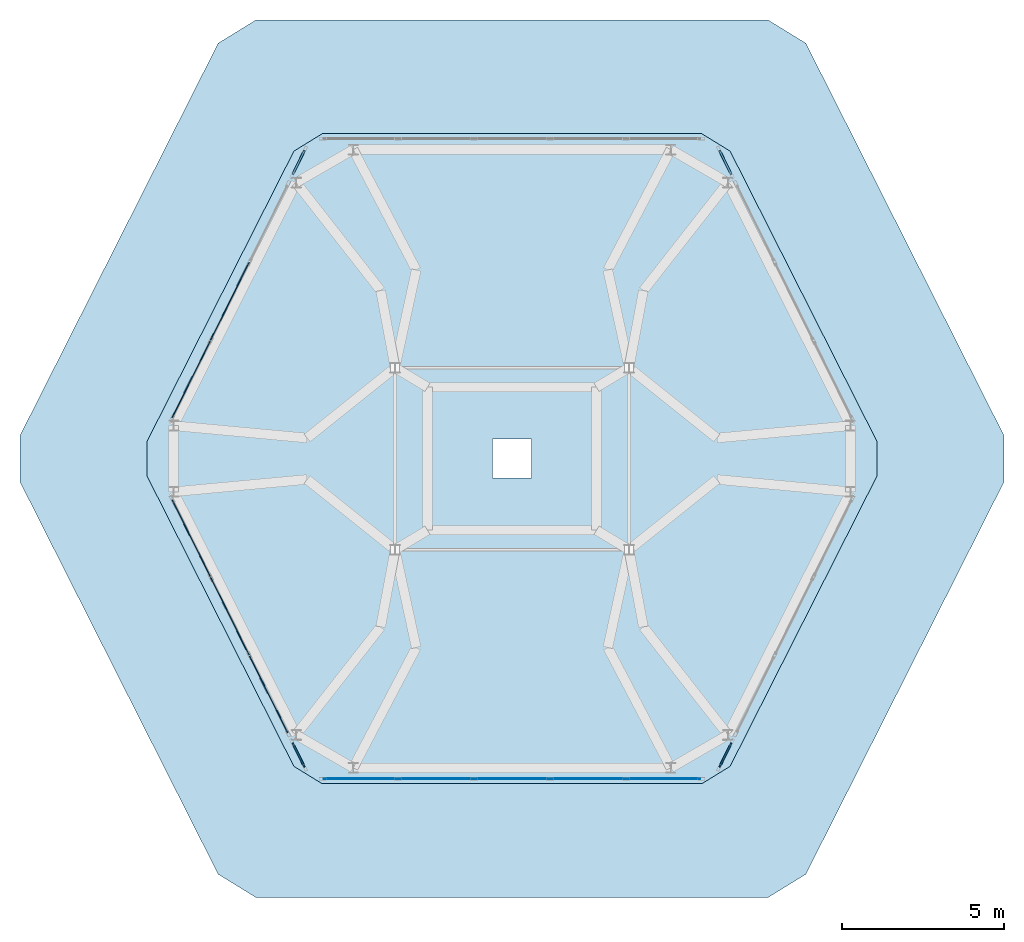
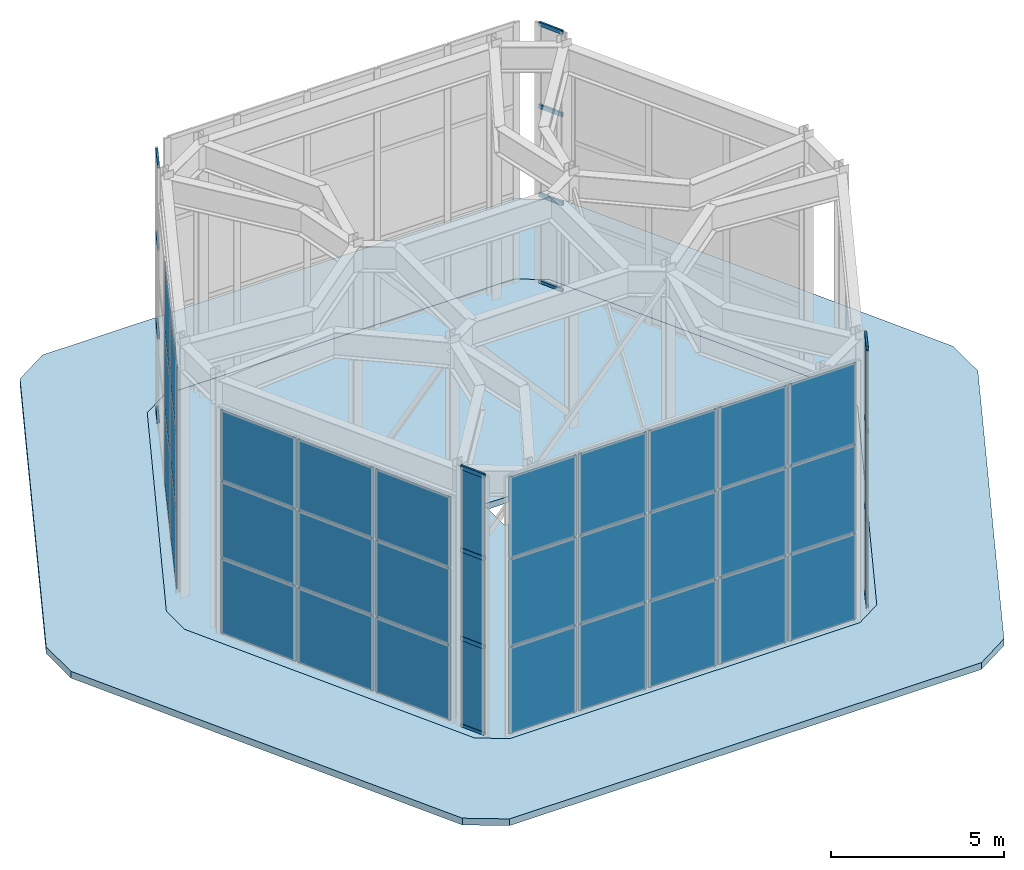
# One storey, part 8 of 9: 36 plates, 16 members, 2 slabs, 7 elements without a shape of their own.
"""IFC4 building model written with IfcOpenShell, lengths in metres."""

from ifc_helpers import new_model, si_unit, direction, frame, origin, origin_2d, place, context, subcontext, project, spatial, polyline, rectangle, hollow_rectangle, outline, extrude, material, layer, layer_set, material_profile, profile_set, type_object, element, aggregate, save


model = new_model("IFC4")

# Units and contexts
model_context = context("Model", 3, precision=1e-05, world=origin(), true_north=direction((0.0, 1.0)))
body_context = subcontext(model_context, "Body", "Model", "MODEL_VIEW")
ifc_project = project(units=[si_unit("LENGTHUNIT", "METRE"), si_unit("AREAUNIT", "SQUARE_METRE"), si_unit("VOLUMEUNIT", "CUBIC_METRE"), si_unit("PLANEANGLEUNIT", "RADIAN"), si_unit("MASSUNIT", "GRAM", prefix="KILO")], contexts=[model_context])

# Site, building, storey
site_placement = place(None, origin())
site = spatial("IfcSite", under=ifc_project, at=site_placement, CompositionType="ELEMENT")
building_placement = place(site_placement, origin())
building = spatial("IfcBuilding", under=site, at=building_placement, Name="Cinnabar Lancet Tower", CompositionType="ELEMENT")
storey_placement = place(building_placement, frame((0.0, 0.0, 323.85009765625)))
storey = spatial("IfcBuildingStorey", under=building, at=storey_placement, Name="L82", CompositionType="ELEMENT", Elevation=323.85009765625)

# Curtain wall, members
ifc_material_1 = material(Name="Thermally broken bronze-anodized aluminium and low-E glass", Category="aluminium")
ifc_layer_1 = layer(ifc_material_1, 0.179931640625)
ifc_layer_set_1 = layer_set([ifc_layer_1], Name="Thermally broken bronze-anodized aluminium and low-E glass")
curtain_wall_type = type_object("IfcCurtainWallType", Name="ENV-CW-SYS-06", PredefinedType="NOTDEFINED", material=ifc_layer_set_1)
curtain_wall_1_placement = place(storey_placement, origin())
curtain_wall_1 = element("IfcCurtainWall", 1, at=curtain_wall_1_placement, inside=storey, type_object=curtain_wall_type, Name="L82 Faceted Lancet Crown Curtain Wall 4", PredefinedType="NOTDEFINED")
ifc_material_2 = material(Name="Anodized architectural aluminium 6063-T6", Category="aluminium")
ifc_material_profile = material_profile(ifc_material_2, hollow_rectangle(XDim=0.06494140625, YDim=0.14990234375, WallThickness=0.00390625, InnerFilletRadius=0.001953125, OuterFilletRadius=0.006103515625, at=origin_2d()), Name="CW-TRN 150x65x4")
ifc_profile_set = profile_set([ifc_material_profile], Name="Anodized architectural aluminium 6063-T6")
member_type = type_object("IfcMemberType", Name="ENV-CW-TRN-160", PredefinedType="USERDEFINED", material=ifc_profile_set)
member_1_placement = place(storey_placement, frame((38.78564453125, 16.31787109375, 0.02978515625), z_axis=(0.443390275112, 0.896328658437, 0.0), x_axis=(-0.896328658437, 0.443390275112, 0.0)))
member_1 = element("IfcMember", 2, at=member_1_placement, type_object=member_type, Name="CW-06 transom 1.1", ObjectType="TRANSOM", PredefinedType="USERDEFINED", context=body_context, shape_type="SweptSolid", body=[
    extrude(hollow_rectangle(XDim=0.06494140625, YDim=0.14990234375, WallThickness=0.00390625, InnerFilletRadius=0.001953125, OuterFilletRadius=0.006103515625, at=origin_2d()), origin(), (0.0, 0.0, 1.0), 0.818115234375),
])
member_2_placement = place(storey_placement, frame((38.78564453125, 16.31787109375, 3.118896484375), z_axis=(0.443390275112, 0.896328658437, 0.0), x_axis=(-0.896328658437, 0.443390275112, 0.0)))
member_2 = element("IfcMember", 3, at=member_2_placement, type_object=member_type, Name="CW-06 transom 1.2", ObjectType="TRANSOM", PredefinedType="USERDEFINED", context=body_context, shape_type="SweptSolid", body=[
    extrude(hollow_rectangle(XDim=0.06494140625, YDim=0.14990234375, WallThickness=0.00390625, InnerFilletRadius=0.001953125, OuterFilletRadius=0.006103515625, at=origin_2d()), origin(), (0.0, 0.0, 1.0), 0.818115234375),
])
member_3_placement = place(storey_placement, frame((38.78564453125, 16.31787109375, 6.239013671875), z_axis=(0.443390275112, 0.896328658437, 0.0), x_axis=(-0.896328658437, 0.443390275112, 0.0)))
member_3 = element("IfcMember", 4, at=member_3_placement, type_object=member_type, Name="CW-06 transom 1.3", ObjectType="TRANSOM", PredefinedType="USERDEFINED", context=body_context, shape_type="SweptSolid", body=[
    extrude(hollow_rectangle(XDim=0.06494140625, YDim=0.14990234375, WallThickness=0.00390625, InnerFilletRadius=0.001953125, OuterFilletRadius=0.006103515625, at=origin_2d()), origin(), (0.0, 0.0, 1.0), 0.818115234375),
])
member_4_placement = place(storey_placement, frame((38.78564453125, 16.31787109375, 9.14501953125), z_axis=(0.443390275112, 0.896328658437, 0.0), x_axis=(-0.896328658437, 0.443390275112, 0.0)))
member_4 = element("IfcMember", 5, at=member_4_placement, type_object=member_type, Name="CW-06 transom 1.4", ObjectType="TRANSOM", PredefinedType="USERDEFINED", context=body_context, shape_type="SweptSolid", body=[
    extrude(hollow_rectangle(XDim=0.06494140625, YDim=0.14990234375, WallThickness=0.00390625, InnerFilletRadius=0.001953125, OuterFilletRadius=0.006103515625, at=origin_2d()), origin(), (0.0, 0.0, 1.0), 0.818115234375),
])

curtain_wall_2_placement = place(storey_placement, origin())
curtain_wall_2 = element("IfcCurtainWall", 6, at=curtain_wall_2_placement, inside=storey, type_object=curtain_wall_type, Name="L82 Faceted Lancet Crown Curtain Wall 10", PredefinedType="NOTDEFINED")
member_5_placement = place(storey_placement, frame((39.1484375, 34.548828125, 0.02978515625), z_axis=(-0.443390275112, 0.896328658437, 0.0), x_axis=(-0.896328658437, -0.443390275112, 0.0)))
member_5 = element("IfcMember", 7, at=member_5_placement, type_object=member_type, Name="CW-06 transom 1.1", ObjectType="TRANSOM", PredefinedType="USERDEFINED", context=body_context, shape_type="SweptSolid", body=[
    extrude(hollow_rectangle(XDim=0.06494140625, YDim=0.14990234375, WallThickness=0.00390625, InnerFilletRadius=0.001953125, OuterFilletRadius=0.006103515625, at=origin_2d()), origin(), (0.0, 0.0, 1.0), 0.818115234375),
])
member_6_placement = place(storey_placement, frame((39.1484375, 34.548828125, 3.118896484375), z_axis=(-0.443390275112, 0.896328658437, 0.0), x_axis=(-0.896328658437, -0.443390275112, 0.0)))
member_6 = element("IfcMember", 8, at=member_6_placement, type_object=member_type, Name="CW-06 transom 1.2", ObjectType="TRANSOM", PredefinedType="USERDEFINED", context=body_context, shape_type="SweptSolid", body=[
    extrude(hollow_rectangle(XDim=0.06494140625, YDim=0.14990234375, WallThickness=0.00390625, InnerFilletRadius=0.001953125, OuterFilletRadius=0.006103515625, at=origin_2d()), origin(), (0.0, 0.0, 1.0), 0.818115234375),
])
member_7_placement = place(storey_placement, frame((39.1484375, 34.548828125, 6.239013671875), z_axis=(-0.443390275112, 0.896328658437, 0.0), x_axis=(-0.896328658437, -0.443390275112, 0.0)))
member_7 = element("IfcMember", 9, at=member_7_placement, type_object=member_type, Name="CW-06 transom 1.3", ObjectType="TRANSOM", PredefinedType="USERDEFINED", context=body_context, shape_type="SweptSolid", body=[
    extrude(hollow_rectangle(XDim=0.06494140625, YDim=0.14990234375, WallThickness=0.00390625, InnerFilletRadius=0.001953125, OuterFilletRadius=0.006103515625, at=origin_2d()), origin(), (0.0, 0.0, 1.0), 0.818115234375),
])
member_8_placement = place(storey_placement, frame((39.1484375, 34.548828125, 9.14501953125), z_axis=(-0.443390275112, 0.896328658437, 0.0), x_axis=(-0.896328658437, -0.443390275112, 0.0)))
member_8 = element("IfcMember", 10, at=member_8_placement, type_object=member_type, Name="CW-06 transom 1.4", ObjectType="TRANSOM", PredefinedType="USERDEFINED", context=body_context, shape_type="SweptSolid", body=[
    extrude(hollow_rectangle(XDim=0.06494140625, YDim=0.14990234375, WallThickness=0.00390625, InnerFilletRadius=0.001953125, OuterFilletRadius=0.006103515625, at=origin_2d()), origin(), (0.0, 0.0, 1.0), 0.818115234375),
])
aggregate(curtain_wall_2, [member_5, member_6, member_7, member_8])

curtain_wall_3_placement = place(storey_placement, origin())
curtain_wall_3 = element("IfcCurtainWall", 11, at=curtain_wall_3_placement, inside=storey, type_object=curtain_wall_type, Name="L82 Faceted Lancet Crown Curtain Wall 14", PredefinedType="NOTDEFINED")
member_9_placement = place(storey_placement, frame((26.014404296875, 35.2822265625, 0.02978515625), z_axis=(-0.443390275112, -0.896328658437, 0.0), x_axis=(0.896328658437, -0.443390275112, 0.0)))
member_9 = element("IfcMember", 12, at=member_9_placement, type_object=member_type, Name="CW-06 transom 1.1", ObjectType="TRANSOM", PredefinedType="USERDEFINED", context=body_context, shape_type="SweptSolid", body=[
    extrude(hollow_rectangle(XDim=0.06494140625, YDim=0.14990234375, WallThickness=0.00390625, InnerFilletRadius=0.001953125, OuterFilletRadius=0.006103515625, at=origin_2d()), origin(), (0.0, 0.0, 1.0), 0.818115234375),
])
member_10_placement = place(storey_placement, frame((26.014404296875, 35.2822265625, 3.118896484375), z_axis=(-0.443390275112, -0.896328658437, 0.0), x_axis=(0.896328658437, -0.443390275112, 0.0)))
member_10 = element("IfcMember", 13, at=member_10_placement, type_object=member_type, Name="CW-06 transom 1.2", ObjectType="TRANSOM", PredefinedType="USERDEFINED", context=body_context, shape_type="SweptSolid", body=[
    extrude(hollow_rectangle(XDim=0.06494140625, YDim=0.14990234375, WallThickness=0.00390625, InnerFilletRadius=0.001953125, OuterFilletRadius=0.006103515625, at=origin_2d()), origin(), (0.0, 0.0, 1.0), 0.818115234375),
])
member_11_placement = place(storey_placement, frame((26.014404296875, 35.2822265625, 6.239013671875), z_axis=(-0.443390275112, -0.896328658437, 0.0), x_axis=(0.896328658437, -0.443390275112, 0.0)))
member_11 = element("IfcMember", 14, at=member_11_placement, type_object=member_type, Name="CW-06 transom 1.3", ObjectType="TRANSOM", PredefinedType="USERDEFINED", context=body_context, shape_type="SweptSolid", body=[
    extrude(hollow_rectangle(XDim=0.06494140625, YDim=0.14990234375, WallThickness=0.00390625, InnerFilletRadius=0.001953125, OuterFilletRadius=0.006103515625, at=origin_2d()), origin(), (0.0, 0.0, 1.0), 0.818115234375),
])
member_12_placement = place(storey_placement, frame((26.014404296875, 35.2822265625, 9.14501953125), z_axis=(-0.443390275112, -0.896328658437, 0.0), x_axis=(0.896328658437, -0.443390275112, 0.0)))
member_12 = element("IfcMember", 15, at=member_12_placement, type_object=member_type, Name="CW-06 transom 1.4", ObjectType="TRANSOM", PredefinedType="USERDEFINED", context=body_context, shape_type="SweptSolid", body=[
    extrude(hollow_rectangle(XDim=0.06494140625, YDim=0.14990234375, WallThickness=0.00390625, InnerFilletRadius=0.001953125, OuterFilletRadius=0.006103515625, at=origin_2d()), origin(), (0.0, 0.0, 1.0), 0.818115234375),
])
aggregate(curtain_wall_3, [member_9, member_10, member_11, member_12])

curtain_wall_4_placement = place(storey_placement, origin())
curtain_wall_4 = element("IfcCurtainWall", 16, at=curtain_wall_4_placement, inside=storey, type_object=curtain_wall_type, Name="L82 Faceted Lancet Crown Curtain Wall 20", PredefinedType="NOTDEFINED")
member_13_placement = place(storey_placement, frame((25.651611328125, 17.05126953125, 0.02978515625), z_axis=(0.443390275112, -0.896328658437, 0.0), x_axis=(0.896328658437, 0.443390275112, 0.0)))
member_13 = element("IfcMember", 17, at=member_13_placement, type_object=member_type, Name="CW-06 transom 1.1", ObjectType="TRANSOM", PredefinedType="USERDEFINED", context=body_context, shape_type="SweptSolid", body=[
    extrude(hollow_rectangle(XDim=0.06494140625, YDim=0.14990234375, WallThickness=0.00390625, InnerFilletRadius=0.001953125, OuterFilletRadius=0.006103515625, at=origin_2d()), origin(), (0.0, 0.0, 1.0), 0.818115234375),
])
member_14_placement = place(storey_placement, frame((25.651611328125, 17.05126953125, 3.118896484375), z_axis=(0.443390275112, -0.896328658437, 0.0), x_axis=(0.896328658437, 0.443390275112, 0.0)))
member_14 = element("IfcMember", 18, at=member_14_placement, type_object=member_type, Name="CW-06 transom 1.2", ObjectType="TRANSOM", PredefinedType="USERDEFINED", context=body_context, shape_type="SweptSolid", body=[
    extrude(hollow_rectangle(XDim=0.06494140625, YDim=0.14990234375, WallThickness=0.00390625, InnerFilletRadius=0.001953125, OuterFilletRadius=0.006103515625, at=origin_2d()), origin(), (0.0, 0.0, 1.0), 0.818115234375),
])
member_15_placement = place(storey_placement, frame((25.651611328125, 17.05126953125, 6.239013671875), z_axis=(0.443390275112, -0.896328658437, 0.0), x_axis=(0.896328658437, 0.443390275112, 0.0)))
member_15 = element("IfcMember", 19, at=member_15_placement, type_object=member_type, Name="CW-06 transom 1.3", ObjectType="TRANSOM", PredefinedType="USERDEFINED", context=body_context, shape_type="SweptSolid", body=[
    extrude(hollow_rectangle(XDim=0.06494140625, YDim=0.14990234375, WallThickness=0.00390625, InnerFilletRadius=0.001953125, OuterFilletRadius=0.006103515625, at=origin_2d()), origin(), (0.0, 0.0, 1.0), 0.818115234375),
])
member_16_placement = place(storey_placement, frame((25.651611328125, 17.05126953125, 9.14501953125), z_axis=(0.443390275112, -0.896328658437, 0.0), x_axis=(0.896328658437, 0.443390275112, 0.0)))
member_16 = element("IfcMember", 20, at=member_16_placement, type_object=member_type, Name="CW-06 transom 1.4", ObjectType="TRANSOM", PredefinedType="USERDEFINED", context=body_context, shape_type="SweptSolid", body=[
    extrude(hollow_rectangle(XDim=0.06494140625, YDim=0.14990234375, WallThickness=0.00390625, InnerFilletRadius=0.001953125, OuterFilletRadius=0.006103515625, at=origin_2d()), origin(), (0.0, 0.0, 1.0), 0.818115234375),
])

# Curtain wall, plates
curtain_wall_5_placement = place(storey_placement, origin())
curtain_wall_5 = element("IfcCurtainWall", 21, at=curtain_wall_5_placement, inside=storey, type_object=curtain_wall_type, Name="L82 Faceted Lancet Crown Curtain Wall 2", PredefinedType="NOTDEFINED")
ifc_material_3 = material(Name="Acoustic solar-control low-E laminated glass unit", Category="glass")
ifc_layer_2 = layer(ifc_material_3, 0.035888671875)
ifc_layer_set_2 = layer_set([ifc_layer_2], Name="Acoustic solar-control low-E laminated glass unit")
plate_type = type_object("IfcPlateType", Name="ENV-CW-PNL-36", PredefinedType="CURTAIN_PANEL", material=ifc_layer_set_2)
plate_1_placement = place(storey_placement, frame((27.731689453125, 15.949951171875, 0.06005859375), z_axis=(0.0, 0.0, 1.0), x_axis=(1.0, 0.0, 0.0)))
plate_1 = element("IfcPlate", 22, at=plate_1_placement, type_object=plate_type, Name="CW-06 panel 1.1", PredefinedType="CURTAIN_PANEL", context=body_context, shape_type="SweptSolid", body=[
    extrude(rectangle(XDim=2.251708984375, YDim=0.028076171875, at=origin_2d()), origin(), (0.0, 0.0, 1.0), 3.029052734375),
])
plate_2_placement = place(storey_placement, frame((27.731689453125, 15.949951171875, 3.14892578125), z_axis=(0.0, 0.0, 1.0), x_axis=(1.0, 0.0, 0.0)))
plate_2 = element("IfcPlate", 23, at=plate_2_placement, type_object=plate_type, Name="CW-06 panel 1.2", PredefinedType="CURTAIN_PANEL", context=body_context, shape_type="SweptSolid", body=[
    extrude(rectangle(XDim=2.251708984375, YDim=0.028076171875, at=origin_2d()), origin(), (0.0, 0.0, 1.0), 3.06005859375),
])
plate_3_placement = place(storey_placement, frame((27.731689453125, 15.949951171875, 6.26904296875), z_axis=(0.0, 0.0, 1.0), x_axis=(1.0, 0.0, 0.0)))
plate_3 = element("IfcPlate", 24, at=plate_3_placement, type_object=plate_type, Name="CW-06 panel 1.3", PredefinedType="CURTAIN_PANEL", context=body_context, shape_type="SweptSolid", body=[
    extrude(rectangle(XDim=2.251708984375, YDim=0.028076171875, at=origin_2d()), origin(), (0.0, 0.0, 1.0), 2.845947265625),
])
plate_4_placement = place(storey_placement, frame((30.058349609375, 15.949951171875, 0.06005859375), z_axis=(0.0, 0.0, 1.0), x_axis=(1.0, 0.0, 0.0)))
plate_4 = element("IfcPlate", 25, at=plate_4_placement, type_object=plate_type, Name="CW-06 panel 2.1", PredefinedType="CURTAIN_PANEL", context=body_context, shape_type="SweptSolid", body=[
    extrude(rectangle(XDim=2.281494140625, YDim=0.028076171875, at=origin_2d()), origin(), (0.0, 0.0, 1.0), 3.029052734375),
])
plate_5_placement = place(storey_placement, frame((30.058349609375, 15.949951171875, 3.14892578125), z_axis=(0.0, 0.0, 1.0), x_axis=(1.0, 0.0, 0.0)))
plate_5 = element("IfcPlate", 26, at=plate_5_placement, type_object=plate_type, Name="CW-06 panel 2.2", PredefinedType="CURTAIN_PANEL", context=body_context, shape_type="SweptSolid", body=[
    extrude(rectangle(XDim=2.281494140625, YDim=0.028076171875, at=origin_2d()), origin(), (0.0, 0.0, 1.0), 3.06005859375),
])
plate_6_placement = place(storey_placement, frame((30.058349609375, 15.949951171875, 6.26904296875), z_axis=(0.0, 0.0, 1.0), x_axis=(1.0, 0.0, 0.0)))
plate_6 = element("IfcPlate", 27, at=plate_6_placement, type_object=plate_type, Name="CW-06 panel 2.3", PredefinedType="CURTAIN_PANEL", context=body_context, shape_type="SweptSolid", body=[
    extrude(rectangle(XDim=2.281494140625, YDim=0.028076171875, at=origin_2d()), origin(), (0.0, 0.0, 1.0), 2.845947265625),
])
plate_7_placement = place(storey_placement, frame((32.39990234375, 15.949951171875, 0.06005859375), z_axis=(0.0, 0.0, 1.0), x_axis=(1.0, 0.0, 0.0)))
plate_7 = element("IfcPlate", 28, at=plate_7_placement, type_object=plate_type, Name="CW-06 panel 3.1", PredefinedType="CURTAIN_PANEL", context=body_context, shape_type="SweptSolid", body=[
    extrude(rectangle(XDim=2.281494140625, YDim=0.028076171875, at=origin_2d()), origin(), (0.0, 0.0, 1.0), 3.029052734375),
])
plate_8_placement = place(storey_placement, frame((32.39990234375, 15.949951171875, 3.14892578125), z_axis=(0.0, 0.0, 1.0), x_axis=(1.0, 0.0, 0.0)))
plate_8 = element("IfcPlate", 29, at=plate_8_placement, type_object=plate_type, Name="CW-06 panel 3.2", PredefinedType="CURTAIN_PANEL", context=body_context, shape_type="SweptSolid", body=[
    extrude(rectangle(XDim=2.281494140625, YDim=0.028076171875, at=origin_2d()), origin(), (0.0, 0.0, 1.0), 3.06005859375),
])
plate_9_placement = place(storey_placement, frame((32.39990234375, 15.949951171875, 6.26904296875), z_axis=(0.0, 0.0, 1.0), x_axis=(1.0, 0.0, 0.0)))
plate_9 = element("IfcPlate", 30, at=plate_9_placement, type_object=plate_type, Name="CW-06 panel 3.3", PredefinedType="CURTAIN_PANEL", context=body_context, shape_type="SweptSolid", body=[
    extrude(rectangle(XDim=2.281494140625, YDim=0.028076171875, at=origin_2d()), origin(), (0.0, 0.0, 1.0), 2.845947265625),
])
plate_10_placement = place(storey_placement, frame((34.74169921875, 15.949951171875, 0.06005859375), z_axis=(0.0, 0.0, 1.0), x_axis=(1.0, 0.0, 0.0)))
plate_10 = element("IfcPlate", 31, at=plate_10_placement, type_object=plate_type, Name="CW-06 panel 4.1", PredefinedType="CURTAIN_PANEL", context=body_context, shape_type="SweptSolid", body=[
    extrude(rectangle(XDim=2.281494140625, YDim=0.028076171875, at=origin_2d()), origin(), (0.0, 0.0, 1.0), 3.029052734375),
])
plate_11_placement = place(storey_placement, frame((34.74169921875, 15.949951171875, 3.14892578125), z_axis=(0.0, 0.0, 1.0), x_axis=(1.0, 0.0, 0.0)))
plate_11 = element("IfcPlate", 32, at=plate_11_placement, type_object=plate_type, Name="CW-06 panel 4.2", PredefinedType="CURTAIN_PANEL", context=body_context, shape_type="SweptSolid", body=[
    extrude(rectangle(XDim=2.281494140625, YDim=0.028076171875, at=origin_2d()), origin(), (0.0, 0.0, 1.0), 3.06005859375),
])
plate_12_placement = place(storey_placement, frame((34.74169921875, 15.949951171875, 6.26904296875), z_axis=(0.0, 0.0, 1.0), x_axis=(1.0, 0.0, 0.0)))
plate_12 = element("IfcPlate", 33, at=plate_12_placement, type_object=plate_type, Name="CW-06 panel 4.3", PredefinedType="CURTAIN_PANEL", context=body_context, shape_type="SweptSolid", body=[
    extrude(rectangle(XDim=2.281494140625, YDim=0.028076171875, at=origin_2d()), origin(), (0.0, 0.0, 1.0), 2.845947265625),
])
plate_13_placement = place(storey_placement, frame((37.068115234375, 15.949951171875, 0.06005859375), z_axis=(0.0, 0.0, 1.0), x_axis=(1.0, 0.0, 0.0)))
plate_13 = element("IfcPlate", 34, at=plate_13_placement, type_object=plate_type, Name="CW-06 panel 5.1", PredefinedType="CURTAIN_PANEL", context=body_context, shape_type="SweptSolid", body=[
    extrude(rectangle(XDim=2.251708984375, YDim=0.028076171875, at=origin_2d()), origin(), (0.0, 0.0, 1.0), 3.029052734375),
])
plate_14_placement = place(storey_placement, frame((37.068115234375, 15.949951171875, 3.14892578125), z_axis=(0.0, 0.0, 1.0), x_axis=(1.0, 0.0, 0.0)))
plate_14 = element("IfcPlate", 35, at=plate_14_placement, type_object=plate_type, Name="CW-06 panel 5.2", PredefinedType="CURTAIN_PANEL", context=body_context, shape_type="SweptSolid", body=[
    extrude(rectangle(XDim=2.251708984375, YDim=0.028076171875, at=origin_2d()), origin(), (0.0, 0.0, 1.0), 3.06005859375),
])
plate_15_placement = place(storey_placement, frame((37.068115234375, 15.949951171875, 6.26904296875), z_axis=(0.0, 0.0, 1.0), x_axis=(1.0, 0.0, 0.0)))
plate_15 = element("IfcPlate", 36, at=plate_15_placement, type_object=plate_type, Name="CW-06 panel 5.3", PredefinedType="CURTAIN_PANEL", context=body_context, shape_type="SweptSolid", body=[
    extrude(rectangle(XDim=2.251708984375, YDim=0.028076171875, at=origin_2d()), origin(), (0.0, 0.0, 1.0), 2.845947265625),
])
aggregate(curtain_wall_5, [plate_1, plate_2, plate_3, plate_4, plate_5, plate_6, plate_7, plate_8, plate_9, plate_10, plate_11, plate_12, plate_13, plate_14, plate_15])

# Plate
plate_16_placement = place(storey_placement, frame((38.967041015625, 16.6845703125, 0.06005859375), z_axis=(0.0, 0.0, 1.0), x_axis=(0.443372602374, 0.896337400461, 0.0)))
plate_16 = element("IfcPlate", 37, at=plate_16_placement, type_object=plate_type, Name="CW-06 panel 1.1", PredefinedType="CURTAIN_PANEL", context=body_context, shape_type="SweptSolid", body=[
    extrude(rectangle(XDim=0.818359375, YDim=0.028076171875, at=origin_2d()), origin(), (0.0, 0.0, 1.0), 3.029052734375),
])

plate_17_placement = place(storey_placement, frame((38.967041015625, 16.6845703125, 3.14892578125), z_axis=(0.0, 0.0, 1.0), x_axis=(0.443372602374, 0.896337400461, 0.0)))
plate_17 = element("IfcPlate", 38, at=plate_17_placement, type_object=plate_type, Name="CW-06 panel 1.2", PredefinedType="CURTAIN_PANEL", context=body_context, shape_type="SweptSolid", body=[
    extrude(rectangle(XDim=0.818359375, YDim=0.028076171875, at=origin_2d()), origin(), (0.0, 0.0, 1.0), 3.06005859375),
])

plate_18_placement = place(storey_placement, frame((38.967041015625, 16.6845703125, 6.26904296875), z_axis=(0.0, 0.0, 1.0), x_axis=(0.443372602374, 0.896337400461, 0.0)))
plate_18 = element("IfcPlate", 39, at=plate_18_placement, type_object=plate_type, Name="CW-06 panel 1.3", PredefinedType="CURTAIN_PANEL", context=body_context, shape_type="SweptSolid", body=[
    extrude(rectangle(XDim=0.818359375, YDim=0.028076171875, at=origin_2d()), origin(), (0.0, 0.0, 1.0), 2.845947265625),
])

aggregate(curtain_wall_1, [member_1, member_2, member_3, member_4, plate_16, plate_17, plate_18])

# Curtain wall, plates
curtain_wall_6_placement = place(storey_placement, origin())
curtain_wall_6 = element("IfcCurtainWall", 40, at=curtain_wall_6_placement, inside=storey, type_object=curtain_wall_type, Name="L82 Faceted Lancet Crown Curtain Wall 15", PredefinedType="NOTDEFINED")
plate_19_placement = place(storey_placement, frame((23.719970703125, 30.64794921875, 0.06005859375), z_axis=(0.0, 0.0, 1.0), x_axis=(-0.443656863715, -0.896196734695, 0.0)))
plate_19 = element("IfcPlate", 41, at=plate_19_placement, type_object=plate_type, Name="CW-06 panel 2.1", PredefinedType="CURTAIN_PANEL", context=body_context, shape_type="SweptSolid", body=[
    extrude(rectangle(XDim=2.641845703125, YDim=0.028076171875, at=origin_2d()), origin(), (0.0, 0.0, 1.0), 2.62890625),
])
plate_20_placement = place(storey_placement, frame((23.719970703125, 30.64794921875, 2.7490234375), z_axis=(0.0, 0.0, 1.0), x_axis=(-0.443656863715, -0.896196734695, 0.0)))
plate_20 = element("IfcPlate", 42, at=plate_20_placement, type_object=plate_type, Name="CW-06 panel 2.2", PredefinedType="CURTAIN_PANEL", context=body_context, shape_type="SweptSolid", body=[
    extrude(rectangle(XDim=2.641845703125, YDim=0.028076171875, at=origin_2d()), origin(), (0.0, 0.0, 1.0), 2.658935546875),
])
plate_21_placement = place(storey_placement, frame((23.719970703125, 30.64794921875, 5.4677734375), z_axis=(0.0, 0.0, 1.0), x_axis=(-0.443656863715, -0.896196734695, 0.0)))
plate_21 = element("IfcPlate", 43, at=plate_21_placement, type_object=plate_type, Name="CW-06 panel 2.3", PredefinedType="CURTAIN_PANEL", context=body_context, shape_type="SweptSolid", body=[
    extrude(rectangle(XDim=2.641845703125, YDim=0.028076171875, at=origin_2d()), origin(), (0.0, 0.0, 1.0), 2.468994140625),
])
plate_22_placement = place(storey_placement, frame((22.528076171875, 28.239990234375, 0.06005859375), z_axis=(0.0, 0.0, 1.0), x_axis=(-0.443656863715, -0.896196734695, 0.0)))
plate_22 = element("IfcPlate", 44, at=plate_22_placement, type_object=plate_type, Name="CW-06 panel 3.1", PredefinedType="CURTAIN_PANEL", context=body_context, shape_type="SweptSolid", body=[
    extrude(rectangle(XDim=2.61181640625, YDim=0.028076171875, at=origin_2d()), origin(), (0.0, 0.0, 1.0), 2.62890625),
])
plate_23_placement = place(storey_placement, frame((22.528076171875, 28.239990234375, 2.7490234375), z_axis=(0.0, 0.0, 1.0), x_axis=(-0.443656863715, -0.896196734695, 0.0)))
plate_23 = element("IfcPlate", 45, at=plate_23_placement, type_object=plate_type, Name="CW-06 panel 3.2", PredefinedType="CURTAIN_PANEL", context=body_context, shape_type="SweptSolid", body=[
    extrude(rectangle(XDim=2.61181640625, YDim=0.028076171875, at=origin_2d()), origin(), (0.0, 0.0, 1.0), 2.658935546875),
])
plate_24_placement = place(storey_placement, frame((22.528076171875, 28.239990234375, 5.4677734375), z_axis=(0.0, 0.0, 1.0), x_axis=(-0.443656863715, -0.896196734695, 0.0)))
plate_24 = element("IfcPlate", 46, at=plate_24_placement, type_object=plate_type, Name="CW-06 panel 3.3", PredefinedType="CURTAIN_PANEL", context=body_context, shape_type="SweptSolid", body=[
    extrude(rectangle(XDim=2.61181640625, YDim=0.028076171875, at=origin_2d()), origin(), (0.0, 0.0, 1.0), 2.468994140625),
])
aggregate(curtain_wall_6, [plate_19, plate_20, plate_21, plate_22, plate_23, plate_24])

curtain_wall_7_placement = place(storey_placement, origin())
curtain_wall_7 = element("IfcCurtainWall", 47, at=curtain_wall_7_placement, inside=storey, type_object=curtain_wall_type, Name="L82 Faceted Lancet Crown Curtain Wall 19", PredefinedType="NOTDEFINED")
plate_25_placement = place(storey_placement, frame((22.528076171875, 23.35986328125, 0.06005859375), z_axis=(0.0, 0.0, 1.0), x_axis=(0.443656863715, -0.896196734695, 0.0)))
plate_25 = element("IfcPlate", 48, at=plate_25_placement, type_object=plate_type, Name="CW-06 panel 1.1", PredefinedType="CURTAIN_PANEL", context=body_context, shape_type="SweptSolid", body=[
    extrude(rectangle(XDim=2.61181640625, YDim=0.028076171875, at=origin_2d()), origin(), (0.0, 0.0, 1.0), 2.62890625),
])
plate_26_placement = place(storey_placement, frame((22.528076171875, 23.35986328125, 2.7490234375), z_axis=(0.0, 0.0, 1.0), x_axis=(0.443656863715, -0.896196734695, 0.0)))
plate_26 = element("IfcPlate", 49, at=plate_26_placement, type_object=plate_type, Name="CW-06 panel 1.2", PredefinedType="CURTAIN_PANEL", context=body_context, shape_type="SweptSolid", body=[
    extrude(rectangle(XDim=2.61181640625, YDim=0.028076171875, at=origin_2d()), origin(), (0.0, 0.0, 1.0), 2.658935546875),
])
plate_27_placement = place(storey_placement, frame((22.528076171875, 23.35986328125, 5.4677734375), z_axis=(0.0, 0.0, 1.0), x_axis=(0.443656863715, -0.896196734695, 0.0)))
plate_27 = element("IfcPlate", 50, at=plate_27_placement, type_object=plate_type, Name="CW-06 panel 1.3", PredefinedType="CURTAIN_PANEL", context=body_context, shape_type="SweptSolid", body=[
    extrude(rectangle(XDim=2.61181640625, YDim=0.028076171875, at=origin_2d()), origin(), (0.0, 0.0, 1.0), 2.468994140625),
])
plate_28_placement = place(storey_placement, frame((23.719970703125, 20.951904296875, 0.06005859375), z_axis=(0.0, 0.0, 1.0), x_axis=(0.443656863715, -0.896196734695, 0.0)))
plate_28 = element("IfcPlate", 51, at=plate_28_placement, type_object=plate_type, Name="CW-06 panel 2.1", PredefinedType="CURTAIN_PANEL", context=body_context, shape_type="SweptSolid", body=[
    extrude(rectangle(XDim=2.641845703125, YDim=0.028076171875, at=origin_2d()), origin(), (0.0, 0.0, 1.0), 2.62890625),
])
plate_29_placement = place(storey_placement, frame((23.719970703125, 20.951904296875, 2.7490234375), z_axis=(0.0, 0.0, 1.0), x_axis=(0.443656863715, -0.896196734695, 0.0)))
plate_29 = element("IfcPlate", 52, at=plate_29_placement, type_object=plate_type, Name="CW-06 panel 2.2", PredefinedType="CURTAIN_PANEL", context=body_context, shape_type="SweptSolid", body=[
    extrude(rectangle(XDim=2.641845703125, YDim=0.028076171875, at=origin_2d()), origin(), (0.0, 0.0, 1.0), 2.658935546875),
])
plate_30_placement = place(storey_placement, frame((23.719970703125, 20.951904296875, 5.4677734375), z_axis=(0.0, 0.0, 1.0), x_axis=(0.443656863715, -0.896196734695, 0.0)))
plate_30 = element("IfcPlate", 53, at=plate_30_placement, type_object=plate_type, Name="CW-06 panel 2.3", PredefinedType="CURTAIN_PANEL", context=body_context, shape_type="SweptSolid", body=[
    extrude(rectangle(XDim=2.641845703125, YDim=0.028076171875, at=origin_2d()), origin(), (0.0, 0.0, 1.0), 2.468994140625),
])
plate_31_placement = place(storey_placement, frame((24.912109375, 18.544189453125, 0.06005859375), z_axis=(0.0, 0.0, 1.0), x_axis=(0.443656863715, -0.896196734695, 0.0)))
plate_31 = element("IfcPlate", 54, at=plate_31_placement, type_object=plate_type, Name="CW-06 panel 3.1", PredefinedType="CURTAIN_PANEL", context=body_context, shape_type="SweptSolid", body=[
    extrude(rectangle(XDim=2.61181640625, YDim=0.028076171875, at=origin_2d()), origin(), (0.0, 0.0, 1.0), 2.62890625),
])
plate_32_placement = place(storey_placement, frame((24.912109375, 18.544189453125, 2.7490234375), z_axis=(0.0, 0.0, 1.0), x_axis=(0.443656863715, -0.896196734695, 0.0)))
plate_32 = element("IfcPlate", 55, at=plate_32_placement, type_object=plate_type, Name="CW-06 panel 3.2", PredefinedType="CURTAIN_PANEL", context=body_context, shape_type="SweptSolid", body=[
    extrude(rectangle(XDim=2.61181640625, YDim=0.028076171875, at=origin_2d()), origin(), (0.0, 0.0, 1.0), 2.658935546875),
])
plate_33_placement = place(storey_placement, frame((24.912109375, 18.544189453125, 5.4677734375), z_axis=(0.0, 0.0, 1.0), x_axis=(0.443656863715, -0.896196734695, 0.0)))
plate_33 = element("IfcPlate", 56, at=plate_33_placement, type_object=plate_type, Name="CW-06 panel 3.3", PredefinedType="CURTAIN_PANEL", context=body_context, shape_type="SweptSolid", body=[
    extrude(rectangle(XDim=2.61181640625, YDim=0.028076171875, at=origin_2d()), origin(), (0.0, 0.0, 1.0), 2.468994140625),
])
aggregate(curtain_wall_7, [plate_25, plate_26, plate_27, plate_28, plate_29, plate_30, plate_31, plate_32, plate_33])

# Plate
plate_34_placement = place(storey_placement, frame((25.8330078125, 16.6845703125, 0.06005859375), z_axis=(0.0, 0.0, 1.0), x_axis=(0.443372602374, -0.896337400461, 0.0)))
plate_34 = element("IfcPlate", 57, at=plate_34_placement, type_object=plate_type, Name="CW-06 panel 1.1", PredefinedType="CURTAIN_PANEL", context=body_context, shape_type="SweptSolid", body=[
    extrude(rectangle(XDim=0.818359375, YDim=0.028076171875, at=origin_2d()), origin(), (0.0, 0.0, 1.0), 3.029052734375),
])

plate_35_placement = place(storey_placement, frame((25.8330078125, 16.6845703125, 3.14892578125), z_axis=(0.0, 0.0, 1.0), x_axis=(0.443372602374, -0.896337400461, 0.0)))
plate_35 = element("IfcPlate", 58, at=plate_35_placement, type_object=plate_type, Name="CW-06 panel 1.2", PredefinedType="CURTAIN_PANEL", context=body_context, shape_type="SweptSolid", body=[
    extrude(rectangle(XDim=0.818359375, YDim=0.028076171875, at=origin_2d()), origin(), (0.0, 0.0, 1.0), 3.06005859375),
])

plate_36_placement = place(storey_placement, frame((25.8330078125, 16.6845703125, 6.26904296875), z_axis=(0.0, 0.0, 1.0), x_axis=(0.443372602374, -0.896337400461, 0.0)))
plate_36 = element("IfcPlate", 59, at=plate_36_placement, type_object=plate_type, Name="CW-06 panel 1.3", PredefinedType="CURTAIN_PANEL", context=body_context, shape_type="SweptSolid", body=[
    extrude(rectangle(XDim=0.818359375, YDim=0.028076171875, at=origin_2d()), origin(), (0.0, 0.0, 1.0), 2.845947265625),
])

aggregate(curtain_wall_4, [member_13, member_14, member_15, member_16, plate_34, plate_35, plate_36])

# Slabs
ifc_material_4 = material(Name="Concrete C45/55", Category="concrete")
ifc_layer_3 = layer(ifc_material_4, 0.219970703125)
ifc_layer_set_3 = layer_set([ifc_layer_3], Name="Concrete C45/55")
slab_type_1 = type_object("IfcSlabType", Name="STR-SLB-ROOF-220", PredefinedType="ROOF", material=ifc_layer_set_3)
slab_1_placement = place(storey_placement, frame((0.0, 0.0, -0.22021484375)))
element("IfcSlab", 60, at=slab_1_placement, inside=storey, type_object=slab_type_1, Name="L82 Crown Structural Deck Roof Slab", PredefinedType="ROOF", context=body_context, shape_type="SweptSolid", body=[
    extrude(outline(polyline([(25.68896484375, 16.3349609375), (26.56005859375, 15.800048828125), (38.239990234375, 15.800048828125), (39.111083984375, 16.3349609375), (43.62890625, 25.264892578125), (43.62890625, 26.3349609375), (39.111083984375, 35.264892578125), (38.239990234375, 35.800048828125), (26.56005859375, 35.800048828125), (25.68896484375, 35.264892578125), (21.1708984375, 26.3349609375), (21.1708984375, 25.264892578125), (25.68896484375, 16.3349609375)]), holes=[polyline([(31.800048828125, 25.199951171875), (33.0, 25.199951171875), (33.0, 26.39990234375), (31.800048828125, 26.39990234375), (31.800048828125, 25.199951171875)])]), origin(), (0.0, 0.0, 1.0), 0.22021484375),
])
ifc_material_5 = material(Name="Concrete C45/55", Category="concrete")
ifc_layer_4 = layer(ifc_material_5, 0.239990234375)
ifc_layer_set_4 = layer_set([ifc_layer_4], Name="Concrete C45/55")
slab_type_2 = type_object("IfcSlabType", Name="STR-SLB-ROOF-240", PredefinedType="ROOF", material=ifc_layer_set_4)
slab_2_placement = place(storey_placement, frame((0.0, 0.0, -0.239990234375)))
element("IfcSlab", 61, at=slab_2_placement, inside=storey, type_object=slab_type_2, Name="L82 Crown Step-In Roof Apron", PredefinedType="ROOF", context=body_context, shape_type="SweptSolid", body=[
    extrude(outline(polyline([(23.35888671875, 13.013916015625), (24.52001953125, 12.300048828125), (40.280029296875, 12.300048828125), (41.44091796875, 13.013916015625), (47.5390625, 25.0859375), (47.5390625, 26.513916015625), (41.44091796875, 38.5859375), (40.280029296875, 39.300048828125), (24.52001953125, 39.300048828125), (23.35888671875, 38.5859375), (17.260986328125, 26.513916015625), (17.260986328125, 25.0859375), (23.35888671875, 13.013916015625)]), holes=[polyline([(25.68896484375, 16.3349609375), (26.56005859375, 15.800048828125), (38.239990234375, 15.800048828125), (39.111083984375, 16.3349609375), (43.62890625, 25.264892578125), (43.62890625, 26.3349609375), (39.111083984375, 35.264892578125), (38.239990234375, 35.800048828125), (26.56005859375, 35.800048828125), (25.68896484375, 35.264892578125), (21.1708984375, 26.3349609375), (21.1708984375, 25.264892578125), (25.68896484375, 16.3349609375)])]), origin(), (0.0, 0.0, 1.0), 0.239990234375),
])

save(model, "model.ifc")
